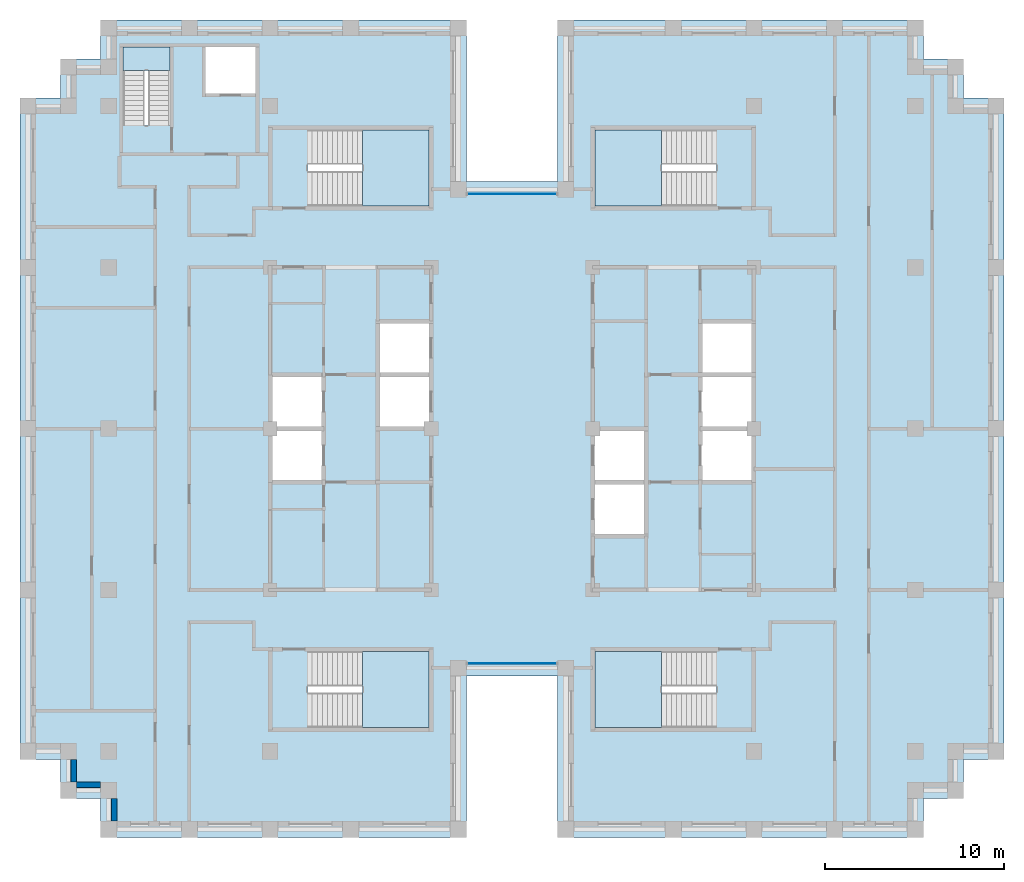
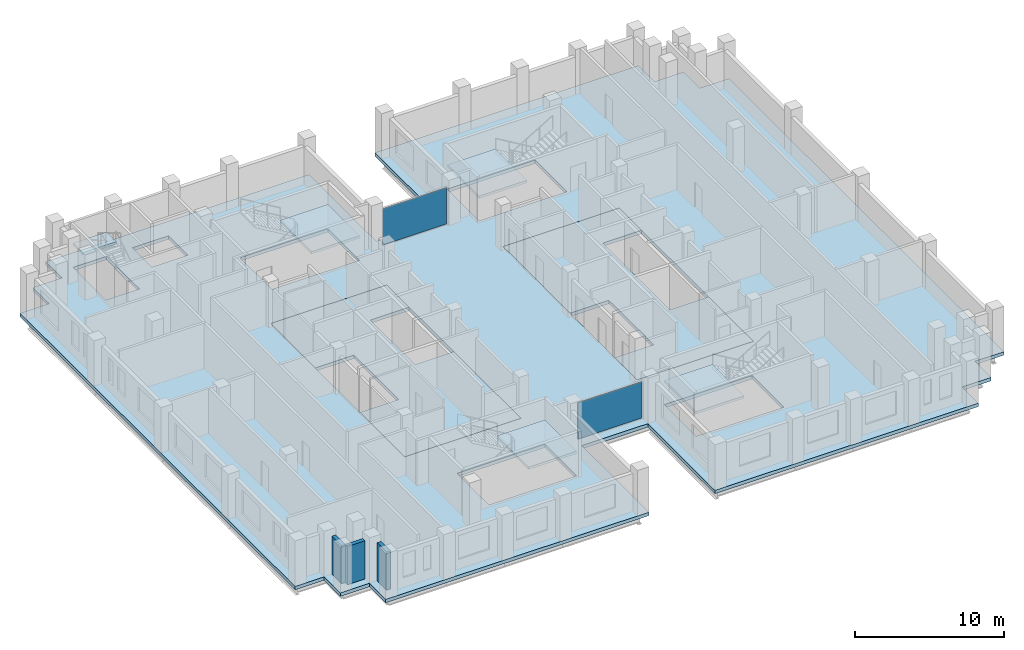
# One storey, part 5 of 13: 8 slabs, 3 walls, 2 plates, 7 elements without a shape of their own.
"""IFC4 building model written with IfcOpenShell, lengths in metres."""

from ifc_helpers import new_model, si_unit, direction, frame, frame_2d, origin, origin_2d, place, context, subcontext, project, spatial, polyline, rectangle, outline, extrude, material, layer, layer_set, type_object, element, aggregate, save


model = new_model("IFC4")

# Units and contexts
model_context = context("Model", 3, precision=1e-05, world=origin(), true_north=direction((0.0, 1.0)))
body_context = subcontext(model_context, "Body", "Model", "MODEL_VIEW")
ifc_project = project(units=[si_unit("LENGTHUNIT", "METRE"), si_unit("AREAUNIT", "SQUARE_METRE"), si_unit("VOLUMEUNIT", "CUBIC_METRE"), si_unit("PLANEANGLEUNIT", "RADIAN"), si_unit("MASSUNIT", "GRAM", prefix="KILO")], contexts=[model_context])

# Site, building, storey
site_placement = place(None, origin())
site = spatial("IfcSite", under=ifc_project, at=site_placement, CompositionType="ELEMENT")
building_placement = place(site_placement, origin())
building = spatial("IfcBuilding", under=site, at=building_placement, Name="Corbelhall Arena Tower", CompositionType="ELEMENT")
storey_placement = place(building_placement, frame((0.0, 0.0, 274.0)))
storey = spatial("IfcBuildingStorey", under=building, at=storey_placement, Name="L59", CompositionType="ELEMENT", Elevation=274.0)

# Curtain wall, plate
ifc_material_1 = material(Name="Aluminium black anodised", Category="aluminium")
ifc_layer_1 = layer(ifc_material_1, 0.199951171875)
ifc_layer_set_1 = layer_set([ifc_layer_1], Name="EV-CW1 Slot back wall")
curtain_wall_type = type_object("IfcCurtainWallType", Name="EV-CW1 Slot back wall", PredefinedType="NOTDEFINED", material=ifc_layer_set_1)
curtain_wall_1_placement = place(storey_placement, origin())
curtain_wall_1 = element("IfcCurtainWall", 1, at=curtain_wall_1_placement, inside=storey, type_object=curtain_wall_type, Name="Curtain wall CW1", PredefinedType="NOTDEFINED")
ifc_material_2 = material(Name="Glass dark tinted laminated", Category="glass")
ifc_layer_2 = layer(ifc_material_2, 0.028076171875)
ifc_layer_set_2 = layer_set([ifc_layer_2], Name="EV-CW1-PANEL")
plate_type = type_object("IfcPlateType", Name="EV-CW1-PANEL", PredefinedType="CURTAIN_PANEL", material=ifc_layer_set_2)
plate_1_placement = place(storey_placement, frame((0.0, -13.10009765625, 0.0751953125), z_axis=(0.0, 0.0, 1.0), x_axis=(1.0, 0.0, 0.0)))
plate_1 = element("IfcPlate", 2, at=plate_1_placement, type_object=plate_type, Name="CW1 panel 1.1", PredefinedType="CURTAIN_PANEL", context=body_context, shape_type="SweptSolid", body=[
    extrude(rectangle(XDim=4.949951171875, YDim=0.028076171875, at=origin_2d()), origin(), (0.0, 0.0, 1.0), 2.969970703125),
])
aggregate(curtain_wall_1, [plate_1])

curtain_wall_2_placement = place(storey_placement, origin())
curtain_wall_2 = element("IfcCurtainWall", 3, at=curtain_wall_2_placement, inside=storey, type_object=curtain_wall_type, Name="Curtain wall CW1", PredefinedType="NOTDEFINED")
plate_2_placement = place(storey_placement, frame((0.0, 13.10009765625, 0.0751953125), z_axis=(0.0, 0.0, 1.0), x_axis=(-1.0, 0.0, 0.0)))
plate_2 = element("IfcPlate", 4, at=plate_2_placement, type_object=plate_type, Name="CW1 panel 1.1", PredefinedType="CURTAIN_PANEL", context=body_context, shape_type="SweptSolid", body=[
    extrude(rectangle(XDim=4.949951171875, YDim=0.028076171875, at=origin_2d()), origin(), (0.0, 0.0, 1.0), 2.969970703125),
])
aggregate(curtain_wall_2, [plate_2])

# Slabs
ifc_material_3 = material(Name="Concrete C40/50", Category="concrete")
ifc_layer_3 = layer(ifc_material_3, 0.300048828125)
ifc_layer_set_3 = layer_set([ifc_layer_3], Name="IN-SL-CORE")
slab_type_1 = type_object("IfcSlabType", Name="IN-SL-CORE", PredefinedType="FLOOR", material=ifc_layer_set_3)
slab_1_placement = place(storey_placement, frame((0.0, 0.0, -0.280029296875)))
element("IfcSlab", 5, at=slab_1_placement, inside=storey, type_object=slab_type_1, Name="Core floor W", PredefinedType="FLOOR", context=body_context, shape_type="SweptSolid", body=[
    extrude(outline(polyline([(-10.5, -3.0), (-13.5, -3.0), (-13.5, -9.0), (-4.5, -9.0), (-4.5, 0.0), (-7.5, 0.0), (-7.5, 3.0), (-7.5, 6.0), (-4.5, 6.0), (-4.5, 9.0), (-13.5, 9.0), (-13.5, 3.0), (-10.5, 3.0), (-10.5, 0.0), (-10.5, -3.0)])), origin(), (0.0, 0.0, 1.0), 0.280029296875),
])
slab_2_placement = place(storey_placement, frame((0.0, 0.0, -0.280029296875)))
element("IfcSlab", 6, at=slab_2_placement, inside=storey, type_object=slab_type_1, Name="Core floor E", PredefinedType="FLOOR", context=body_context, shape_type="SweptSolid", body=[
    extrude(outline(polyline([(13.5, -3.0), (10.5, -3.0), (10.5, 0.0), (10.5, 3.0), (10.5, 6.0), (13.5, 6.0), (13.5, 9.0), (4.5, 9.0), (4.5, 0.0), (7.5, 0.0), (7.5, -3.0), (7.5, -6.0), (4.5, -6.0), (4.5, -9.0), (13.5, -9.0), (13.5, -3.0)])), origin(), (0.0, 0.0, 1.0), 0.280029296875),
])

# Stair, slab
stair_type = type_object("IfcStairType", Name="IN-ST-TOWER", PredefinedType="HALF_TURN_STAIR", material=ifc_material_3)
stair_1_placement = place(storey_placement, origin())
stair_1 = element("IfcStair", 7, at=stair_1_placement, inside=storey, type_object=stair_type, Name="L59 Exit stair ST1", PredefinedType="HALF_TURN_STAIR")
ifc_layer_4 = layer(ifc_material_3, 0.199951171875)
ifc_layer_set_4 = layer_set([ifc_layer_4], Name="IN-SL-LANDING")
slab_type_2 = type_object("IfcSlabType", Name="IN-SL-LANDING", PredefinedType="LANDING", material=ifc_layer_set_4)
slab_3_placement = place(storey_placement, frame((0.0, 0.0, 1.800048828125)))
slab_3 = element("IfcSlab", 8, at=slab_3_placement, type_object=slab_type_2, Name="ST1 landing 1", PredefinedType="LANDING", context=body_context, shape_type="SweptSolid", body=[
    extrude(outline(polyline([(-8.344970703125, 12.425048828125), (-4.625, 12.425048828125), (-4.625, 16.675048828125), (-8.344970703125, 16.675048828125), (-8.344970703125, 12.425048828125)])), origin(), (0.0, 0.0, 1.0), 0.199951171875),
])
aggregate(stair_1, [slab_3])

stair_2_placement = place(storey_placement, origin())
stair_2 = element("IfcStair", 9, at=stair_2_placement, inside=storey, type_object=stair_type, Name="L59 Exit stair ST2", PredefinedType="HALF_TURN_STAIR")
slab_4_placement = place(storey_placement, frame((0.0, 0.0, 1.800048828125)))
slab_4 = element("IfcSlab", 10, at=slab_4_placement, type_object=slab_type_2, Name="ST2 landing 1", PredefinedType="LANDING", context=body_context, shape_type="SweptSolid", body=[
    extrude(outline(polyline([(-8.344970703125, -16.675048828125), (-4.625, -16.675048828125), (-4.625, -12.425048828125), (-8.344970703125, -12.425048828125), (-8.344970703125, -16.675048828125)])), origin(), (0.0, 0.0, 1.0), 0.199951171875),
])
aggregate(stair_2, [slab_4])

stair_3_placement = place(storey_placement, origin())
stair_3 = element("IfcStair", 11, at=stair_3_placement, inside=storey, type_object=stair_type, Name="L59 Exit stair ST3", PredefinedType="HALF_TURN_STAIR")
slab_5_placement = place(storey_placement, frame((0.0, 0.0, 1.800048828125)))
slab_5 = element("IfcSlab", 12, at=slab_5_placement, type_object=slab_type_2, Name="ST3 landing 1", PredefinedType="LANDING", context=body_context, shape_type="SweptSolid", body=[
    extrude(outline(polyline([(8.344970703125, 16.675048828125), (4.625, 16.675048828125), (4.625, 12.425048828125), (8.344970703125, 12.425048828125), (8.344970703125, 16.675048828125)])), origin(), (0.0, 0.0, 1.0), 0.199951171875),
])
aggregate(stair_3, [slab_5])

stair_4_placement = place(storey_placement, origin())
stair_4 = element("IfcStair", 13, at=stair_4_placement, inside=storey, type_object=stair_type, Name="L59 Exit stair ST4", PredefinedType="HALF_TURN_STAIR")
slab_6_placement = place(storey_placement, frame((0.0, 0.0, 1.800048828125)))
slab_6 = element("IfcSlab", 14, at=slab_6_placement, type_object=slab_type_2, Name="ST4 landing 1", PredefinedType="LANDING", context=body_context, shape_type="SweptSolid", body=[
    extrude(outline(polyline([(8.344970703125, -12.425048828125), (4.625, -12.425048828125), (4.625, -16.675048828125), (8.344970703125, -16.675048828125), (8.344970703125, -12.425048828125)])), origin(), (0.0, 0.0, 1.0), 0.199951171875),
])
aggregate(stair_4, [slab_6])

stair_5_placement = place(storey_placement, origin())
stair_5 = element("IfcStair", 15, at=stair_5_placement, inside=storey, type_object=stair_type, Name="L59 Exit stair ST5", PredefinedType="HALF_TURN_STAIR")
slab_7_placement = place(storey_placement, frame((0.0, 0.0, 1.800048828125)))
slab_7 = element("IfcSlab", 16, at=slab_7_placement, type_object=slab_type_2, Name="ST5 landing 1", PredefinedType="LANDING", context=body_context, shape_type="SweptSolid", body=[
    extrude(outline(polyline([(-19.094970703125, 19.97998046875), (-19.094970703125, 21.300048828125), (-21.695068359375, 21.300048828125), (-21.695068359375, 19.97998046875), (-19.094970703125, 19.97998046875)])), origin(), (0.0, 0.0, 1.0), 0.199951171875),
])
aggregate(stair_5, [slab_7])

# Slab
ifc_layer_5 = layer(ifc_material_3, 0.280029296875)
ifc_layer_set_5 = layer_set([ifc_layer_5], Name="ST-SLAB-FLOOR-280")
slab_type_3 = type_object("IfcSlabType", Name="ST-SLAB-FLOOR-280", PredefinedType="FLOOR", material=ifc_layer_set_5)
slab_8_placement = place(storey_placement, frame((0.0, 0.0, -0.280029296875)))
element("IfcSlab", 17, at=slab_8_placement, inside=storey, type_object=slab_type_3, Name="Floor slab L59 1", PredefinedType="FLOOR", context=body_context, shape_type="SweptSolid", body=[
    extrude(outline(polyline([(22.949951171875, 22.800048828125), (2.550048828125, 22.800048828125), (2.550048828125, 13.800048828125), (-2.550048828125, 13.800048828125), (-2.550048828125, 22.800048828125), (-22.949951171875, 22.800048828125), (-22.949951171875, 20.625), (-25.199951171875, 20.625), (-25.199951171875, 18.449951171875), (-27.449951171875, 18.449951171875), (-27.449951171875, -18.449951171875), (-25.199951171875, -18.449951171875), (-25.199951171875, -20.625), (-22.949951171875, -20.625), (-22.949951171875, -22.800048828125), (-2.550048828125, -22.800048828125), (-2.550048828125, -13.800048828125), (2.550048828125, -13.800048828125), (2.550048828125, -22.800048828125), (22.949951171875, -22.800048828125), (22.949951171875, -20.625), (25.199951171875, -20.625), (25.199951171875, -18.449951171875), (27.449951171875, -18.449951171875), (27.449951171875, 18.449951171875), (25.199951171875, 18.449951171875), (25.199951171875, 20.625), (22.949951171875, 20.625), (22.949951171875, 22.800048828125)]), holes=[polyline([(-13.5, 9.0), (-13.5, -9.0), (-4.5, -9.0), (-4.5, 9.0), (-13.5, 9.0)]), polyline([(4.5, 9.0), (4.5, -9.0), (13.5, -9.0), (13.5, 9.0), (4.5, 9.0)]), polyline([(-4.625, 16.675048828125), (-11.422119140625, 16.675048828125), (-11.422119140625, 12.425048828125), (-4.625, 12.425048828125), (-4.625, 16.675048828125)]), polyline([(-4.625, -16.675048828125), (-4.625, -12.425048828125), (-11.422119140625, -12.425048828125), (-11.422119140625, -16.675048828125), (-4.625, -16.675048828125)]), polyline([(11.422119140625, 16.675048828125), (4.625, 16.675048828125), (4.625, 12.425048828125), (11.422119140625, 12.425048828125), (11.422119140625, 16.675048828125)]), polyline([(11.422119140625, -16.675048828125), (11.422119140625, -12.425048828125), (4.625, -12.425048828125), (4.625, -16.675048828125), (11.422119140625, -16.675048828125)]), polyline([(-21.695068359375, 21.300048828125), (-21.695068359375, 16.903076171875), (-19.094970703125, 16.903076171875), (-19.094970703125, 21.300048828125), (-21.695068359375, 21.300048828125)]), polyline([(-14.300048828125, 21.300048828125), (-17.10009765625, 21.300048828125), (-17.10009765625, 18.699951171875), (-14.300048828125, 18.699951171875), (-14.300048828125, 21.300048828125)])]), origin(), (0.0, 0.0, 1.0), 0.280029296875),
])

# Walls
ifc_material_4 = material(Name="Precast concrete C40/50 with granite facing", Category="masonry")
ifc_layer_6 = layer(ifc_material_4, 0.300048828125)
ifc_layer_set_6 = layer_set([ifc_layer_6], Name="EV-IW1 Infill panel 300")
wall_type = type_object("IfcWallType", Name="EV-IW1 Infill panel 300", PredefinedType="SOLIDWALL", material=ifc_layer_set_6)
wall_1_placement = place(storey_placement, frame((-24.449951171875, -18.449951171875, 0.0), z_axis=(0.0, 0.0, 1.0), x_axis=(0.0, -1.0, 0.0)))
element("IfcWall", 18, at=wall_1_placement, inside=storey, type_object=wall_type, Name="Infill panel IW1", PredefinedType="SOLIDWALL", context=body_context, shape_type="SweptSolid", body=[
    extrude(rectangle(XDim=1.275146484375, YDim=0.300048828125, at=frame_2d((0.6376953125, 0.0))), origin(), (0.0, 0.0, 1.0), 3.1201171875),
])
wall_2_placement = place(storey_placement, frame((-24.300048828125, -19.875, 0.0), z_axis=(0.0, 0.0, 1.0), x_axis=(1.0, 0.0, 0.0)))
element("IfcWall", 19, at=wall_2_placement, inside=storey, type_object=wall_type, Name="Infill panel IW1", PredefinedType="SOLIDWALL", context=body_context, shape_type="SweptSolid", body=[
    extrude(rectangle(XDim=1.35009765625, YDim=0.300048828125, at=frame_2d((0.675048828125, 0.0))), origin(), (0.0, 0.0, 1.0), 3.1201171875),
])
wall_3_placement = place(storey_placement, frame((-22.199951171875, -20.625, 0.0), z_axis=(0.0, 0.0, 1.0), x_axis=(0.0, -1.0, 0.0)))
element("IfcWall", 20, at=wall_3_placement, inside=storey, type_object=wall_type, Name="Infill panel IW1", PredefinedType="SOLIDWALL", context=body_context, shape_type="SweptSolid", body=[
    extrude(rectangle(XDim=1.27490234375, YDim=0.300048828125, at=frame_2d((0.637451171875, 0.0))), origin(), (0.0, 0.0, 1.0), 3.1201171875),
])

save(model, "model.ifc")
